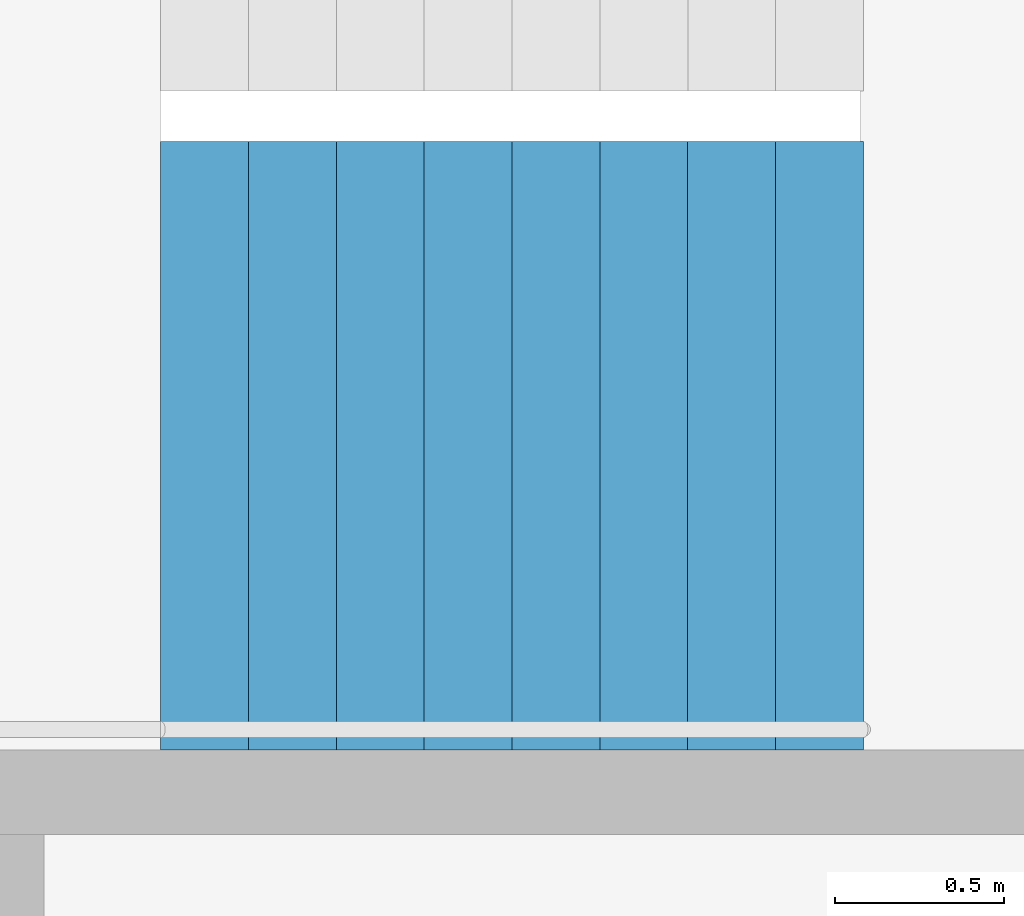
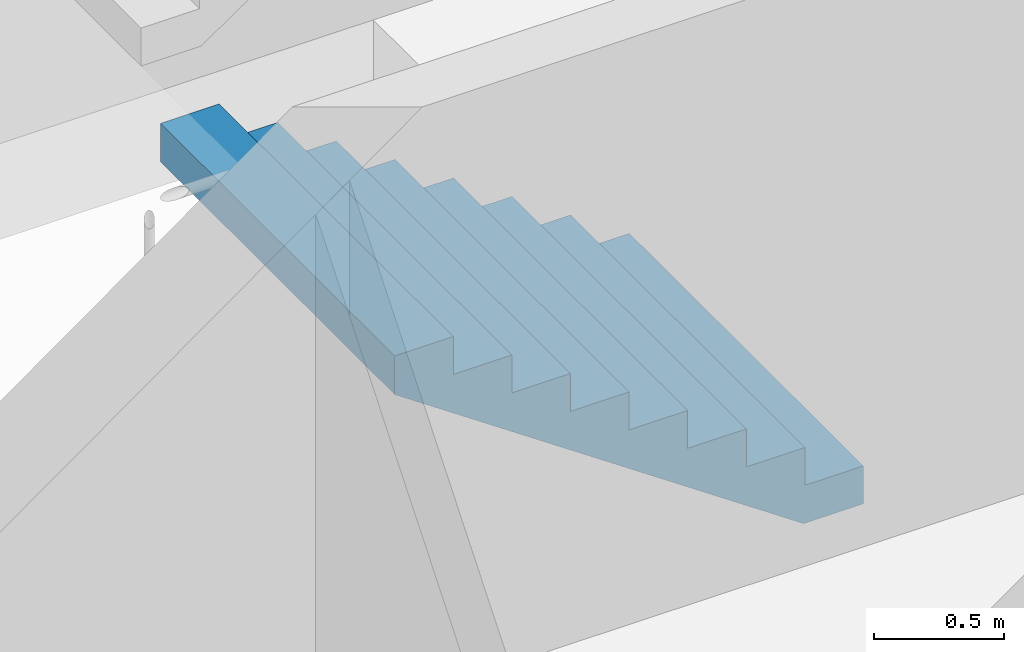
# One storey, part 23 of 29: 1 stair flight, 1 element without a shape of its own.
"""IFC4 building model written with IfcOpenShell, lengths in metres."""

from ifc_helpers import new_model, si_unit, direction, frame, origin, place, context, subcontext, project, spatial, triangles, material, type_object, element, aggregate, save


model = new_model("IFC4")

# Units and contexts
model_context = context("Model", 3, precision=1e-05, world=origin(), true_north=direction((0.0, 1.0)))
body_context = subcontext(model_context, "Body", "Model", "MODEL_VIEW")
ifc_project = project(units=[si_unit("LENGTHUNIT", "METRE"), si_unit("AREAUNIT", "SQUARE_METRE"), si_unit("VOLUMEUNIT", "CUBIC_METRE"), si_unit("PLANEANGLEUNIT", "RADIAN"), si_unit("MASSUNIT", "GRAM", prefix="KILO")], contexts=[model_context])

# Site, building, storey
site_placement = place(None, origin())
site = spatial("IfcSite", under=ifc_project, at=site_placement, CompositionType="ELEMENT")
building_placement = place(site_placement, origin())
building = spatial("IfcBuilding", under=site, at=building_placement, Name="Hakoniwa Tower and Hamabe Station Hall", CompositionType="ELEMENT")
storey_placement = place(building_placement, frame((0.0, 0.0, 205.800048828125)))
storey = spatial("IfcBuildingStorey", under=building, at=storey_placement, Name="L58", CompositionType="ELEMENT", Elevation=205.800048828125)

# Stair, stair flight
ifc_material_1 = material(Name="Concrete C40", Category="concrete")
stair_type = type_object("IfcStairType", Name="ESCAPE STAIR 1800", PredefinedType="HALF_TURN_STAIR", material=ifc_material_1)
stair_placement = place(storey_placement, origin())
stair = element("IfcStair", 1, at=stair_placement, inside=storey, type_object=stair_type, Name="Escape stair ST-3 L58", PredefinedType="HALF_TURN_STAIR")
ifc_material_2 = material(Name="Concrete C40", Category="concrete")
stair_flight_type = type_object("IfcStairFlightType", Name="STAIR FLIGHT 1800", PredefinedType="STRAIGHT", material=ifc_material_2)
stair_flight_placement = place(storey_placement, frame((24.39990234375, 4.64990234375, 0.0), z_axis=(0.0, 0.0, 1.0), x_axis=(-1.0, 0.0, 0.0)))
stair_flight = element("IfcStairFlight", 2, at=stair_flight_placement, type_object=stair_flight_type, Name="ST-3 flight 1", NumberOfRisers=9, NumberOfTreads=8, PredefinedType="STRAIGHT", RiserHeight=0.177777778, TreadLength=0.26, context=body_context, shape_type="Tessellation", body=[
    triangles([(0.0, 0.89990234375, 0.0), (0.260009765625, 0.89990234375, 0.0), (0.265625, 0.89990234375, 0.0), (0.52001953125, 0.89990234375, 0.174072265625), (0.780029296875, 0.89990234375, 0.351806640625), (1.0400390625, 0.89990234375, 0.529541015625), (1.300048828125, 0.89990234375, 0.707275390625), (1.56005859375, 0.89990234375, 0.885009765625), (1.820068359375, 0.89990234375, 1.062744140625), (2.080078125, 0.89990234375, 1.24072265625), (2.080078125, 0.89990234375, 1.422119140625), (1.820068359375, 0.89990234375, 1.422119140625), (1.820068359375, 0.89990234375, 1.244384765625), (1.56005859375, 0.89990234375, 1.244384765625), (1.56005859375, 0.89990234375, 1.066650390625), (1.300048828125, 0.89990234375, 1.066650390625), (1.300048828125, 0.89990234375, 0.888916015625), (1.0400390625, 0.89990234375, 0.888916015625), (1.0400390625, 0.89990234375, 0.711181640625), (0.780029296875, 0.89990234375, 0.711181640625), (0.780029296875, 0.89990234375, 0.533447265625), (0.52001953125, 0.89990234375, 0.533447265625), (0.52001953125, 0.89990234375, 0.35546875), (0.265625, 0.89990234375, 0.35546875), (0.260009765625, 0.89990234375, 0.35546875), (0.260009765625, 0.89990234375, 0.177734375), (0.0, 0.89990234375, 0.177734375), (0.0, 0.06005859375, 0.0), (0.260009765625, 0.06005859375, 0.0), (0.265625, 0.06005859375, 0.0), (0.52001953125, 0.06005859375, 0.174072265625), (0.780029296875, 0.06005859375, 0.351806640625), (1.0400390625, 0.06005859375, 0.529541015625), (1.300048828125, 0.06005859375, 0.707275390625), (1.56005859375, 0.06005859375, 0.885009765625), (1.820068359375, 0.06005859375, 1.062744140625), (2.080078125, 0.06005859375, 1.24072265625), (2.080078125, 0.06005859375, 1.422119140625), (1.820068359375, 0.06005859375, 1.422119140625), (1.820068359375, 0.06005859375, 1.244384765625), (1.56005859375, 0.06005859375, 1.244384765625), (1.56005859375, 0.06005859375, 1.066650390625), (1.300048828125, 0.06005859375, 1.066650390625), (1.300048828125, 0.06005859375, 0.888916015625), (1.0400390625, 0.06005859375, 0.888916015625), (1.0400390625, 0.06005859375, 0.711181640625), (0.780029296875, 0.06005859375, 0.711181640625), (0.780029296875, 0.06005859375, 0.533447265625), (0.52001953125, 0.06005859375, 0.533447265625), (0.52001953125, 0.06005859375, 0.35546875), (0.265625, 0.06005859375, 0.35546875), (0.260009765625, 0.06005859375, 0.35546875), (0.260009765625, 0.06005859375, 0.177734375), (0.0, 0.06005859375, 0.177734375), (0.0, 0.04296875, 0.0), (0.260009765625, 0.04296875, 0.0), (0.265625, 0.04296875, 0.0), (0.52001953125, 0.04296875, 0.174072265625), (0.780029296875, 0.04296875, 0.351806640625), (1.0400390625, 0.04296875, 0.529541015625), (1.300048828125, 0.04296875, 0.707275390625), (1.56005859375, 0.04296875, 0.885009765625), (1.820068359375, 0.04296875, 1.062744140625), (2.080078125, 0.04296875, 1.24072265625), (2.080078125, 0.04296875, 1.422119140625), (1.820068359375, 0.04296875, 1.422119140625), (1.820068359375, 0.04296875, 1.244384765625), (1.56005859375, 0.04296875, 1.244384765625), (1.56005859375, 0.04296875, 1.066650390625), (1.300048828125, 0.04296875, 1.066650390625), (1.300048828125, 0.04296875, 0.888916015625), (1.0400390625, 0.04296875, 0.888916015625), (1.0400390625, 0.04296875, 0.711181640625), (0.780029296875, 0.04296875, 0.711181640625), (0.780029296875, 0.04296875, 0.533447265625), (0.52001953125, 0.04296875, 0.533447265625), (0.52001953125, 0.04296875, 0.35546875), (0.265625, 0.04296875, 0.35546875), (0.260009765625, 0.04296875, 0.35546875), (0.260009765625, 0.04296875, 0.177734375), (0.0, 0.04296875, 0.177734375), (0.0, 0.025634765625, 0.0), (0.260009765625, 0.025634765625, 0.0), (0.265625, 0.025634765625, 0.0), (0.52001953125, 0.025634765625, 0.174072265625), (0.780029296875, 0.025634765625, 0.351806640625), (1.0400390625, 0.025634765625, 0.529541015625), (1.300048828125, 0.025634765625, 0.707275390625), (1.56005859375, 0.025634765625, 0.885009765625), (1.820068359375, 0.025634765625, 1.062744140625), (2.080078125, 0.025634765625, 1.24072265625), (2.080078125, 0.025634765625, 1.422119140625), (1.820068359375, 0.025634765625, 1.422119140625), (1.820068359375, 0.025634765625, 1.244384765625), (1.56005859375, 0.025634765625, 1.244384765625), (1.56005859375, 0.025634765625, 1.066650390625), (1.300048828125, 0.025634765625, 1.066650390625), (1.300048828125, 0.025634765625, 0.888916015625), (1.0400390625, 0.025634765625, 0.888916015625), (1.0400390625, 0.025634765625, 0.711181640625), (0.780029296875, 0.025634765625, 0.711181640625), (0.780029296875, 0.025634765625, 0.533447265625), (0.52001953125, 0.025634765625, 0.533447265625), (0.52001953125, 0.025634765625, 0.35546875), (0.265625, 0.025634765625, 0.35546875), (0.260009765625, 0.025634765625, 0.35546875), (0.260009765625, 0.025634765625, 0.177734375), (0.0, 0.025634765625, 0.177734375), (0.0, 0.008544921875, 0.0), (0.260009765625, 0.008544921875, 0.0), (0.265625, 0.008544921875, 0.0), (0.52001953125, 0.008544921875, 0.174072265625), (0.780029296875, 0.008544921875, 0.351806640625), (1.0400390625, 0.008544921875, 0.529541015625), (1.300048828125, 0.008544921875, 0.707275390625), (1.56005859375, 0.008544921875, 0.885009765625), (1.820068359375, 0.008544921875, 1.062744140625), (2.080078125, 0.008544921875, 1.24072265625), (2.080078125, 0.008544921875, 1.422119140625), (1.820068359375, 0.008544921875, 1.422119140625), (1.820068359375, 0.008544921875, 1.244384765625), (1.56005859375, 0.008544921875, 1.244384765625), (1.56005859375, 0.008544921875, 1.066650390625), (1.300048828125, 0.008544921875, 1.066650390625), (1.300048828125, 0.008544921875, 0.888916015625), (1.0400390625, 0.008544921875, 0.888916015625), (1.0400390625, 0.008544921875, 0.711181640625), (0.780029296875, 0.008544921875, 0.711181640625), (0.780029296875, 0.008544921875, 0.533447265625), (0.52001953125, 0.008544921875, 0.533447265625), (0.52001953125, 0.008544921875, 0.35546875), (0.265625, 0.008544921875, 0.35546875), (0.260009765625, 0.008544921875, 0.35546875), (0.260009765625, 0.008544921875, 0.177734375), (0.0, 0.008544921875, 0.177734375), (0.0, -0.008544921875, 0.0), (0.260009765625, -0.008544921875, 0.0), (0.265625, -0.008544921875, 0.0), (0.52001953125, -0.008544921875, 0.174072265625), (0.780029296875, -0.008544921875, 0.351806640625), (1.0400390625, -0.008544921875, 0.529541015625), (1.300048828125, -0.008544921875, 0.707275390625), (1.56005859375, -0.008544921875, 0.885009765625), (1.820068359375, -0.008544921875, 1.062744140625), (2.080078125, -0.008544921875, 1.24072265625), (2.080078125, -0.008544921875, 1.422119140625), (1.820068359375, -0.008544921875, 1.422119140625), (1.820068359375, -0.008544921875, 1.244384765625), (1.56005859375, -0.008544921875, 1.244384765625), (1.56005859375, -0.008544921875, 1.066650390625), (1.300048828125, -0.008544921875, 1.066650390625), (1.300048828125, -0.008544921875, 0.888916015625), (1.0400390625, -0.008544921875, 0.888916015625), (1.0400390625, -0.008544921875, 0.711181640625), (0.780029296875, -0.008544921875, 0.711181640625), (0.780029296875, -0.008544921875, 0.533447265625), (0.52001953125, -0.008544921875, 0.533447265625), (0.52001953125, -0.008544921875, 0.35546875), (0.265625, -0.008544921875, 0.35546875), (0.260009765625, -0.008544921875, 0.35546875), (0.260009765625, -0.008544921875, 0.177734375), (0.0, -0.008544921875, 0.177734375), (0.0, -0.025634765625, 0.0), (0.260009765625, -0.025634765625, 0.0), (0.265625, -0.025634765625, 0.0), (0.52001953125, -0.025634765625, 0.174072265625), (0.780029296875, -0.025634765625, 0.351806640625), (1.0400390625, -0.025634765625, 0.529541015625), (1.300048828125, -0.025634765625, 0.707275390625), (1.56005859375, -0.025634765625, 0.885009765625), (1.820068359375, -0.025634765625, 1.062744140625), (2.080078125, -0.025634765625, 1.24072265625), (2.080078125, -0.025634765625, 1.422119140625), (1.820068359375, -0.025634765625, 1.422119140625), (1.820068359375, -0.025634765625, 1.244384765625), (1.56005859375, -0.025634765625, 1.244384765625), (1.56005859375, -0.025634765625, 1.066650390625), (1.300048828125, -0.025634765625, 1.066650390625), (1.300048828125, -0.025634765625, 0.888916015625), (1.0400390625, -0.025634765625, 0.888916015625), (1.0400390625, -0.025634765625, 0.711181640625), (0.780029296875, -0.025634765625, 0.711181640625), (0.780029296875, -0.025634765625, 0.533447265625), (0.52001953125, -0.025634765625, 0.533447265625), (0.52001953125, -0.025634765625, 0.35546875), (0.265625, -0.025634765625, 0.35546875), (0.260009765625, -0.025634765625, 0.35546875), (0.260009765625, -0.025634765625, 0.177734375), (0.0, -0.025634765625, 0.177734375), (0.0, -0.04296875, 0.0), (0.260009765625, -0.04296875, 0.0), (0.265625, -0.04296875, 0.0), (0.52001953125, -0.04296875, 0.174072265625), (0.780029296875, -0.04296875, 0.351806640625), (1.0400390625, -0.04296875, 0.529541015625), (1.300048828125, -0.04296875, 0.707275390625), (1.56005859375, -0.04296875, 0.885009765625), (1.820068359375, -0.04296875, 1.062744140625), (2.080078125, -0.04296875, 1.24072265625), (2.080078125, -0.04296875, 1.422119140625), (1.820068359375, -0.04296875, 1.422119140625), (1.820068359375, -0.04296875, 1.244384765625), (1.56005859375, -0.04296875, 1.244384765625), (1.56005859375, -0.04296875, 1.066650390625), (1.300048828125, -0.04296875, 1.066650390625), (1.300048828125, -0.04296875, 0.888916015625), (1.0400390625, -0.04296875, 0.888916015625), (1.0400390625, -0.04296875, 0.711181640625), (0.780029296875, -0.04296875, 0.711181640625), (0.780029296875, -0.04296875, 0.533447265625), (0.52001953125, -0.04296875, 0.533447265625), (0.52001953125, -0.04296875, 0.35546875), (0.265625, -0.04296875, 0.35546875), (0.260009765625, -0.04296875, 0.35546875), (0.260009765625, -0.04296875, 0.177734375), (0.0, -0.04296875, 0.177734375), (0.0, -0.06005859375, 0.0), (0.260009765625, -0.06005859375, 0.0), (0.265625, -0.06005859375, 0.0), (0.52001953125, -0.06005859375, 0.174072265625), (0.780029296875, -0.06005859375, 0.351806640625), (1.0400390625, -0.06005859375, 0.529541015625), (1.300048828125, -0.06005859375, 0.707275390625), (1.56005859375, -0.06005859375, 0.885009765625), (1.820068359375, -0.06005859375, 1.062744140625), (2.080078125, -0.06005859375, 1.24072265625), (2.080078125, -0.06005859375, 1.422119140625), (1.820068359375, -0.06005859375, 1.422119140625), (1.820068359375, -0.06005859375, 1.244384765625), (1.56005859375, -0.06005859375, 1.244384765625), (1.56005859375, -0.06005859375, 1.066650390625), (1.300048828125, -0.06005859375, 1.066650390625), (1.300048828125, -0.06005859375, 0.888916015625), (1.0400390625, -0.06005859375, 0.888916015625), (1.0400390625, -0.06005859375, 0.711181640625), (0.780029296875, -0.06005859375, 0.711181640625), (0.780029296875, -0.06005859375, 0.533447265625), (0.52001953125, -0.06005859375, 0.533447265625), (0.52001953125, -0.06005859375, 0.35546875), (0.265625, -0.06005859375, 0.35546875), (0.260009765625, -0.06005859375, 0.35546875), (0.260009765625, -0.06005859375, 0.177734375), (0.0, -0.06005859375, 0.177734375), (0.0, -0.89990234375, 0.0), (0.260009765625, -0.89990234375, 0.0), (0.265625, -0.89990234375, 0.0), (0.52001953125, -0.89990234375, 0.174072265625), (0.780029296875, -0.89990234375, 0.351806640625), (1.0400390625, -0.89990234375, 0.529541015625), (1.300048828125, -0.89990234375, 0.707275390625), (1.56005859375, -0.89990234375, 0.885009765625), (1.820068359375, -0.89990234375, 1.062744140625), (2.080078125, -0.89990234375, 1.24072265625), (2.080078125, -0.89990234375, 1.422119140625), (1.820068359375, -0.89990234375, 1.422119140625), (1.820068359375, -0.89990234375, 1.244384765625), (1.56005859375, -0.89990234375, 1.244384765625), (1.56005859375, -0.89990234375, 1.066650390625), (1.300048828125, -0.89990234375, 1.066650390625), (1.300048828125, -0.89990234375, 0.888916015625), (1.0400390625, -0.89990234375, 0.888916015625), (1.0400390625, -0.89990234375, 0.711181640625), (0.780029296875, -0.89990234375, 0.711181640625), (0.780029296875, -0.89990234375, 0.533447265625), (0.52001953125, -0.89990234375, 0.533447265625), (0.52001953125, -0.89990234375, 0.35546875), (0.265625, -0.89990234375, 0.35546875), (0.260009765625, -0.89990234375, 0.35546875), (0.260009765625, -0.89990234375, 0.177734375), (0.0, -0.89990234375, 0.177734375)], [[2, 27, 26], [245, 269, 270], [2, 1, 27], [245, 270, 244], [3, 25, 24], [246, 267, 268], [3, 26, 25], [246, 268, 269], [3, 2, 26], [246, 269, 245], [4, 24, 23], [247, 266, 267], [4, 3, 24], [247, 267, 246], [5, 22, 21], [248, 264, 265], [5, 23, 22], [248, 265, 266], [5, 4, 23], [248, 266, 247], [6, 20, 19], [249, 262, 263], [6, 21, 20], [249, 263, 264], [6, 5, 21], [249, 264, 248], [7, 18, 17], [250, 260, 261], [7, 19, 18], [250, 261, 262], [7, 6, 19], [250, 262, 249], [8, 16, 15], [251, 258, 259], [8, 17, 16], [251, 259, 260], [8, 7, 17], [251, 260, 250], [9, 14, 13], [252, 256, 257], [9, 15, 14], [252, 257, 258], [9, 8, 15], [252, 258, 251], [10, 12, 11], [253, 254, 255], [10, 13, 12], [253, 255, 256], [10, 9, 13], [253, 256, 252], [1, 2, 29], [1, 29, 28], [28, 29, 56], [28, 56, 55], [55, 56, 83], [55, 83, 82], [82, 83, 110], [82, 110, 109], [109, 110, 137], [109, 137, 136], [136, 137, 164], [136, 164, 163], [163, 164, 191], [163, 191, 190], [190, 191, 218], [190, 218, 217], [217, 218, 245], [217, 245, 244], [2, 3, 30], [2, 30, 29], [29, 30, 57], [29, 57, 56], [56, 57, 84], [56, 84, 83], [83, 84, 111], [83, 111, 110], [110, 111, 138], [110, 138, 137], [137, 138, 165], [137, 165, 164], [164, 165, 192], [164, 192, 191], [191, 192, 219], [191, 219, 218], [218, 219, 246], [218, 246, 245], [3, 4, 31], [3, 31, 30], [30, 31, 58], [30, 58, 57], [57, 58, 85], [57, 85, 84], [84, 85, 112], [84, 112, 111], [111, 112, 139], [111, 139, 138], [138, 139, 166], [138, 166, 165], [165, 166, 193], [165, 193, 192], [192, 193, 220], [192, 220, 219], [219, 220, 247], [219, 247, 246], [4, 5, 32], [4, 32, 31], [31, 32, 59], [31, 59, 58], [58, 59, 86], [58, 86, 85], [85, 86, 113], [85, 113, 112], [112, 113, 140], [112, 140, 139], [139, 140, 167], [139, 167, 166], [166, 167, 194], [166, 194, 193], [193, 194, 221], [193, 221, 220], [220, 221, 248], [220, 248, 247], [5, 6, 33], [5, 33, 32], [32, 33, 60], [32, 60, 59], [59, 60, 87], [59, 87, 86], [86, 87, 114], [86, 114, 113], [113, 114, 141], [113, 141, 140], [140, 141, 168], [140, 168, 167], [167, 168, 195], [167, 195, 194], [194, 195, 222], [194, 222, 221], [221, 222, 249], [221, 249, 248], [6, 7, 34], [6, 34, 33], [33, 34, 61], [33, 61, 60], [60, 61, 88], [60, 88, 87], [87, 88, 115], [87, 115, 114], [114, 115, 142], [114, 142, 141], [141, 142, 169], [141, 169, 168], [168, 169, 196], [168, 196, 195], [195, 196, 223], [195, 223, 222], [222, 223, 250], [222, 250, 249], [7, 8, 35], [7, 35, 34], [34, 35, 62], [34, 62, 61], [61, 62, 89], [61, 89, 88], [88, 89, 116], [88, 116, 115], [115, 116, 143], [115, 143, 142], [142, 143, 170], [142, 170, 169], [169, 170, 197], [169, 197, 196], [196, 197, 224], [196, 224, 223], [223, 224, 251], [223, 251, 250], [8, 9, 36], [8, 36, 35], [35, 36, 63], [35, 63, 62], [62, 63, 90], [62, 90, 89], [89, 90, 117], [89, 117, 116], [116, 117, 144], [116, 144, 143], [143, 144, 171], [143, 171, 170], [170, 171, 198], [170, 198, 197], [197, 198, 225], [197, 225, 224], [224, 225, 252], [224, 252, 251], [9, 10, 37], [9, 37, 36], [36, 37, 64], [36, 64, 63], [63, 64, 91], [63, 91, 90], [90, 91, 118], [90, 118, 117], [117, 118, 145], [117, 145, 144], [144, 145, 172], [144, 172, 171], [171, 172, 199], [171, 199, 198], [198, 199, 226], [198, 226, 225], [225, 226, 253], [225, 253, 252], [10, 11, 38], [10, 38, 37], [37, 38, 65], [37, 65, 64], [64, 65, 92], [64, 92, 91], [91, 92, 119], [91, 119, 118], [118, 119, 146], [118, 146, 145], [145, 146, 173], [145, 173, 172], [172, 173, 200], [172, 200, 199], [199, 200, 227], [199, 227, 226], [226, 227, 254], [226, 254, 253], [11, 12, 39], [11, 39, 38], [38, 39, 66], [38, 66, 65], [65, 66, 93], [65, 93, 92], [92, 93, 120], [92, 120, 119], [119, 120, 147], [119, 147, 146], [146, 147, 174], [146, 174, 173], [173, 174, 201], [173, 201, 200], [200, 201, 228], [200, 228, 227], [227, 228, 255], [227, 255, 254], [12, 13, 40], [12, 40, 39], [39, 40, 67], [39, 67, 66], [66, 67, 94], [66, 94, 93], [93, 94, 121], [93, 121, 120], [120, 121, 148], [120, 148, 147], [147, 148, 175], [147, 175, 174], [174, 175, 202], [174, 202, 201], [201, 202, 229], [201, 229, 228], [228, 229, 256], [228, 256, 255], [13, 14, 41], [13, 41, 40], [40, 41, 68], [40, 68, 67], [67, 68, 95], [67, 95, 94], [94, 95, 122], [94, 122, 121], [121, 122, 149], [121, 149, 148], [148, 149, 176], [148, 176, 175], [175, 176, 203], [175, 203, 202], [202, 203, 230], [202, 230, 229], [229, 230, 257], [229, 257, 256], [14, 15, 42], [14, 42, 41], [41, 42, 69], [41, 69, 68], [68, 69, 96], [68, 96, 95], [95, 96, 123], [95, 123, 122], [122, 123, 150], [122, 150, 149], [149, 150, 177], [149, 177, 176], [176, 177, 204], [176, 204, 203], [203, 204, 231], [203, 231, 230], [230, 231, 258], [230, 258, 257], [15, 16, 43], [15, 43, 42], [42, 43, 70], [42, 70, 69], [69, 70, 97], [69, 97, 96], [96, 97, 124], [96, 124, 123], [123, 124, 151], [123, 151, 150], [150, 151, 178], [150, 178, 177], [177, 178, 205], [177, 205, 204], [204, 205, 232], [204, 232, 231], [231, 232, 259], [231, 259, 258], [16, 17, 44], [16, 44, 43], [43, 44, 71], [43, 71, 70], [70, 71, 98], [70, 98, 97], [97, 98, 125], [97, 125, 124], [124, 125, 152], [124, 152, 151], [151, 152, 179], [151, 179, 178], [178, 179, 206], [178, 206, 205], [205, 206, 233], [205, 233, 232], [232, 233, 260], [232, 260, 259], [17, 18, 45], [17, 45, 44], [44, 45, 72], [44, 72, 71], [71, 72, 99], [71, 99, 98], [98, 99, 126], [98, 126, 125], [125, 126, 153], [125, 153, 152], [152, 153, 180], [152, 180, 179], [179, 180, 207], [179, 207, 206], [206, 207, 234], [206, 234, 233], [233, 234, 261], [233, 261, 260], [18, 19, 46], [18, 46, 45], [45, 46, 73], [45, 73, 72], [72, 73, 100], [72, 100, 99], [99, 100, 127], [99, 127, 126], [126, 127, 154], [126, 154, 153], [153, 154, 181], [153, 181, 180], [180, 181, 208], [180, 208, 207], [207, 208, 235], [207, 235, 234], [234, 235, 262], [234, 262, 261], [19, 20, 47], [19, 47, 46], [46, 47, 74], [46, 74, 73], [73, 74, 101], [73, 101, 100], [100, 101, 128], [100, 128, 127], [127, 128, 155], [127, 155, 154], [154, 155, 182], [154, 182, 181], [181, 182, 209], [181, 209, 208], [208, 209, 236], [208, 236, 235], [235, 236, 263], [235, 263, 262], [20, 21, 48], [20, 48, 47], [47, 48, 75], [47, 75, 74], [74, 75, 102], [74, 102, 101], [101, 102, 129], [101, 129, 128], [128, 129, 156], [128, 156, 155], [155, 156, 183], [155, 183, 182], [182, 183, 210], [182, 210, 209], [209, 210, 237], [209, 237, 236], [236, 237, 264], [236, 264, 263], [21, 22, 49], [21, 49, 48], [48, 49, 76], [48, 76, 75], [75, 76, 103], [75, 103, 102], [102, 103, 130], [102, 130, 129], [129, 130, 157], [129, 157, 156], [156, 157, 184], [156, 184, 183], [183, 184, 211], [183, 211, 210], [210, 211, 238], [210, 238, 237], [237, 238, 265], [237, 265, 264], [22, 23, 50], [22, 50, 49], [49, 50, 77], [49, 77, 76], [76, 77, 104], [76, 104, 103], [103, 104, 131], [103, 131, 130], [130, 131, 158], [130, 158, 157], [157, 158, 185], [157, 185, 184], [184, 185, 212], [184, 212, 211], [211, 212, 239], [211, 239, 238], [238, 239, 266], [238, 266, 265], [23, 24, 51], [23, 51, 50], [50, 51, 78], [50, 78, 77], [77, 78, 105], [77, 105, 104], [104, 105, 132], [104, 132, 131], [131, 132, 159], [131, 159, 158], [158, 159, 186], [158, 186, 185], [185, 186, 213], [185, 213, 212], [212, 213, 240], [212, 240, 239], [239, 240, 267], [239, 267, 266], [24, 25, 52], [24, 52, 51], [51, 52, 79], [51, 79, 78], [78, 79, 106], [78, 106, 105], [105, 106, 133], [105, 133, 132], [132, 133, 160], [132, 160, 159], [159, 160, 187], [159, 187, 186], [186, 187, 214], [186, 214, 213], [213, 214, 241], [213, 241, 240], [240, 241, 268], [240, 268, 267], [25, 26, 53], [25, 53, 52], [52, 53, 80], [52, 80, 79], [79, 80, 107], [79, 107, 106], [106, 107, 134], [106, 134, 133], [133, 134, 161], [133, 161, 160], [160, 161, 188], [160, 188, 187], [187, 188, 215], [187, 215, 214], [214, 215, 242], [214, 242, 241], [241, 242, 269], [241, 269, 268], [26, 27, 54], [26, 54, 53], [53, 54, 81], [53, 81, 80], [80, 81, 108], [80, 108, 107], [107, 108, 135], [107, 135, 134], [134, 135, 162], [134, 162, 161], [161, 162, 189], [161, 189, 188], [188, 189, 216], [188, 216, 215], [215, 216, 243], [215, 243, 242], [242, 243, 270], [242, 270, 269], [27, 1, 28], [27, 28, 54], [54, 28, 55], [54, 55, 81], [81, 55, 82], [81, 82, 108], [108, 82, 109], [108, 109, 135], [135, 109, 136], [135, 136, 162], [162, 136, 163], [162, 163, 189], [189, 163, 190], [189, 190, 216], [216, 190, 217], [216, 217, 243], [243, 217, 244], [243, 244, 270]], closed=True),
])
aggregate(stair, [stair_flight])

save(model, "model.ifc")
